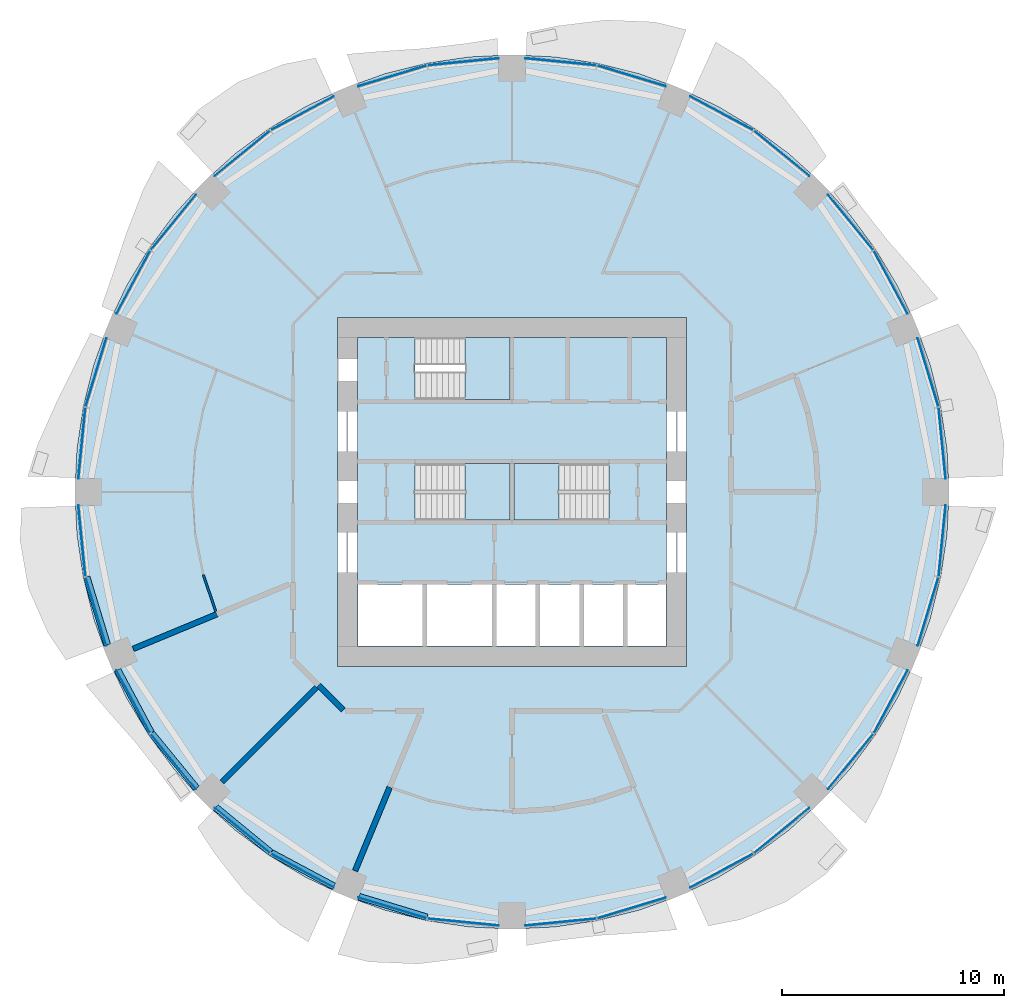
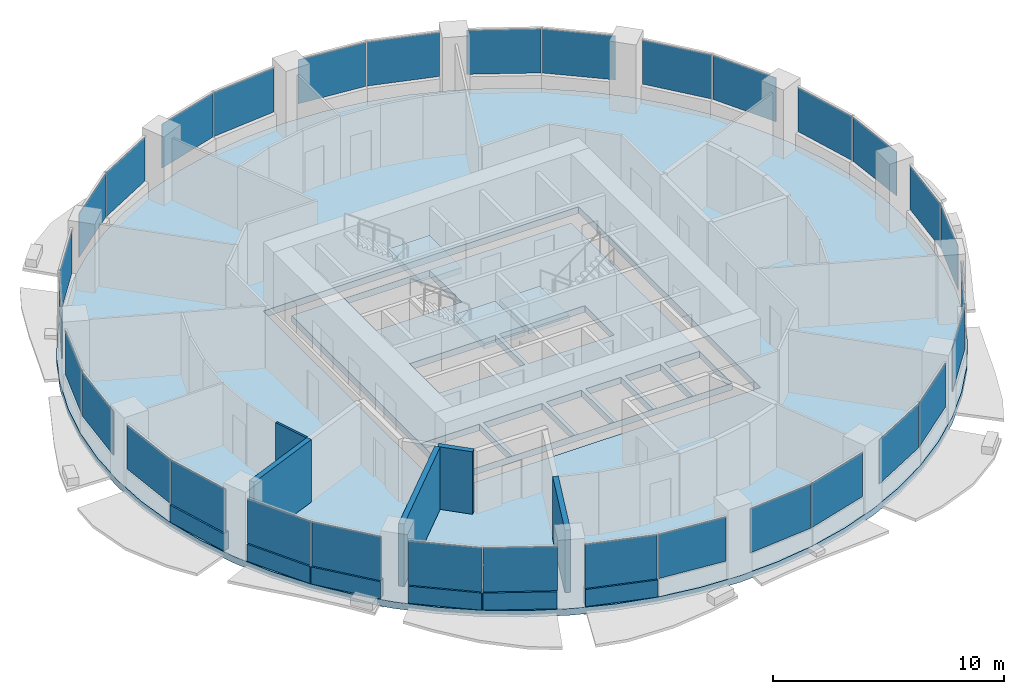
# One storey, part 7 of 15: 32 plates, 11 walls, 5 slabs, 19 elements without a shape of their own.
"""IFC4 building model written with IfcOpenShell, lengths in metres."""

from ifc_helpers import new_model, si_unit, direction, frame, frame_2d, origin, origin_2d, place, context, subcontext, project, spatial, polyline, rectangle, outline, extrude, material, layer, layer_set, type_object, element, aggregate, save


model = new_model("IFC4")

# Units and contexts
model_context = context("Model", 3, precision=1e-05, world=origin(), true_north=direction((0.0, 1.0)))
body_context = subcontext(model_context, "Body", "Model", "MODEL_VIEW")
ifc_project = project(units=[si_unit("LENGTHUNIT", "METRE"), si_unit("AREAUNIT", "SQUARE_METRE"), si_unit("VOLUMEUNIT", "CUBIC_METRE"), si_unit("PLANEANGLEUNIT", "RADIAN"), si_unit("MASSUNIT", "GRAM", prefix="KILO")], contexts=[model_context])

# Site, building, storey
site_placement = place(None, origin())
site = spatial("IfcSite", under=ifc_project, at=site_placement, CompositionType="ELEMENT")
building_placement = place(site_placement, origin())
building = spatial("IfcBuilding", under=site, at=building_placement, Name="Polderwave Tower", CompositionType="ELEMENT")
storey_placement = place(building_placement, frame((0.0, 0.0, 37.14990234375)))
storey = spatial("IfcBuildingStorey", under=building, at=storey_placement, Name="L09", CompositionType="ELEMENT", Elevation=37.14990234375)

# Slab
ifc_material_1 = material(Name="Concrete C40/50", Category="concrete")
ifc_layer_1 = layer(ifc_material_1, 0.35009765625)
ifc_layer_set_1 = layer_set([ifc_layer_1], Name="Core floor slab 350")
slab_type_1 = type_object("IfcSlabType", Name="Core floor slab 350", PredefinedType="FLOOR", material=ifc_layer_set_1)
slab_1_placement = place(storey_placement, frame((0.0, 0.0, -0.349853515625)))
element("IfcSlab", 1, at=slab_1_placement, inside=storey, type_object=slab_type_1, Name="L09 core floor", PredefinedType="FLOOR", context=body_context, shape_type="SweptSolid", body=[
    extrude(outline(polyline([(-6.97412109375, -6.97412109375), (6.97412109375, -6.97412109375), (6.97412109375, 6.97412109375), (-6.97412109375, 6.97412109375), (-6.97412109375, -6.97412109375)]), holes=[polyline([(-6.9541015625, -6.9541015625), (-4.037109375, -6.9541015625), (-4.037109375, -4.174072265625), (-6.9541015625, -4.174072265625), (-6.9541015625, -6.9541015625)]), polyline([(-3.8369140625, -6.9541015625), (-0.89990234375, -6.9541015625), (-0.89990234375, -4.174072265625), (-3.8369140625, -4.174072265625), (-3.8369140625, -6.9541015625)]), polyline([(-0.699951171875, -6.9541015625), (1.068603515625, -6.9541015625), (1.068603515625, -4.174072265625), (-0.699951171875, -4.174072265625), (-0.699951171875, -6.9541015625)]), polyline([(1.2685546875, -6.9541015625), (3.037109375, -6.9541015625), (3.037109375, -4.174072265625), (1.2685546875, -4.174072265625), (1.2685546875, -6.9541015625)]), polyline([(3.237060546875, -6.9541015625), (5.005615234375, -6.9541015625), (5.005615234375, -4.174072265625), (3.237060546875, -4.174072265625), (3.237060546875, -6.9541015625)]), polyline([(5.20556640625, -6.9541015625), (6.9541015625, -6.9541015625), (6.9541015625, -4.174072265625), (5.20556640625, -4.174072265625), (5.20556640625, -6.9541015625)]), polyline([(-4.37353515625, -1.2744140625), (-0.1005859375, -1.2744140625), (-0.1005859375, 1.2744140625), (-4.37353515625, 1.2744140625), (-4.37353515625, -1.2744140625)]), polyline([(0.1005859375, -1.2744140625), (4.37353515625, -1.2744140625), (4.37353515625, 1.2744140625), (0.1005859375, 1.2744140625), (0.1005859375, -1.2744140625)]), polyline([(-4.37353515625, 4.174560546875), (-0.1005859375, 4.174560546875), (-0.1005859375, 6.9541015625), (-4.37353515625, 6.9541015625), (-4.37353515625, 4.174560546875)])]), origin(), (0.0, 0.0, 1.0), 0.349853515625),
])

# Curtain wall, plates
ifc_material_2 = material(Name="Aluminium 6063-T6 and glass", Category="aluminium")
curtain_wall_type = type_object("IfcCurtainWallType", Name="Growing floor ribbon glazing wall", PredefinedType="NOTDEFINED", material=ifc_material_2)
curtain_wall_1_placement = place(storey_placement, origin())
curtain_wall_1 = element("IfcCurtainWall", 2, at=curtain_wall_1_placement, inside=storey, type_object=curtain_wall_type, Name="CW2 L09 00", PredefinedType="NOTDEFINED")
ifc_material_3 = material(Name="Glass, low-e laminated double glazing", Category="glass")
ifc_layer_2 = layer(ifc_material_3, 0.028076171875)
ifc_layer_set_2 = layer_set([ifc_layer_2], Name="Growing floor ribbon glazing glass panel 28 mm")
plate_type = type_object("IfcPlateType", Name="Growing floor ribbon glazing glass panel 28 mm", PredefinedType="CURTAIN_PANEL", material=ifc_layer_set_2)
plate_1_placement = place(storey_placement, frame((19.3935546875, 2.197998046875, 0.89990234375), z_axis=(0.0, 0.0, 1.0), x_axis=(-0.098098775475, 0.995176682931, 0.0)))
plate_1 = element("IfcPlate", 3, at=plate_1_placement, type_object=plate_type, Name="CW2 panel 1", PredefinedType="CURTAIN_PANEL", context=body_context, shape_type="SweptSolid", body=[
    extrude(rectangle(XDim=3.211669921875, YDim=0.028076171875, at=origin_2d()), origin(), (0.0, 0.0, 1.0), 2.320068359375),
])
plate_2_placement = place(storey_placement, frame((18.758056640625, 5.390869140625, 0.89990234375), z_axis=(0.0, 0.0, 1.0), x_axis=(-0.290374865467, 0.956912972796, 0.0)))
plate_2 = element("IfcPlate", 4, at=plate_2_placement, type_object=plate_type, Name="CW2 panel 2", PredefinedType="CURTAIN_PANEL", context=body_context, shape_type="SweptSolid", body=[
    extrude(rectangle(XDim=3.210693359375, YDim=0.028076171875, at=origin_2d()), origin(), (0.0, 0.0, 1.0), 2.320068359375),
])
aggregate(curtain_wall_1, [plate_1, plate_2])

curtain_wall_2_placement = place(storey_placement, origin())
curtain_wall_2 = element("IfcCurtainWall", 5, at=curtain_wall_2_placement, inside=storey, type_object=curtain_wall_type, Name="CW2 L09 01", PredefinedType="NOTDEFINED")
plate_3_placement = place(storey_placement, frame((17.076171875, 9.452392578125, 0.89990234375), z_axis=(0.0, 0.0, 1.0), x_axis=(-0.471356716023, 0.881942654746, 0.0)))
plate_3 = element("IfcPlate", 6, at=plate_3_placement, type_object=plate_type, Name="CW2 panel 1", PredefinedType="CURTAIN_PANEL", context=body_context, shape_type="SweptSolid", body=[
    extrude(rectangle(XDim=3.211669921875, YDim=0.028076171875, at=origin_2d()), origin(), (0.0, 0.0, 1.0), 2.320068359375),
])
plate_4_placement = place(storey_placement, frame((15.267578125, 12.1591796875, 0.89990234375), z_axis=(0.0, 0.0, 1.0), x_axis=(-0.634429710719, 0.772980557425, 0.0)))
plate_4 = element("IfcPlate", 7, at=plate_4_placement, type_object=plate_type, Name="CW2 panel 2", PredefinedType="CURTAIN_PANEL", context=body_context, shape_type="SweptSolid", body=[
    extrude(rectangle(XDim=3.210693359375, YDim=0.028076171875, at=origin_2d()), origin(), (0.0, 0.0, 1.0), 2.320068359375),
])
aggregate(curtain_wall_2, [plate_3, plate_4])

curtain_wall_3_placement = place(storey_placement, origin())
curtain_wall_3 = element("IfcCurtainWall", 8, at=curtain_wall_3_placement, inside=storey, type_object=curtain_wall_type, Name="CW2 L09 02", PredefinedType="NOTDEFINED")
plate_5_placement = place(storey_placement, frame((12.1591796875, 15.267578125, 0.89990234375), z_axis=(0.0, 0.0, 1.0), x_axis=(-0.772980557425, 0.634429710719, 0.0)))
plate_5 = element("IfcPlate", 9, at=plate_5_placement, type_object=plate_type, Name="CW2 panel 1", PredefinedType="CURTAIN_PANEL", context=body_context, shape_type="SweptSolid", body=[
    extrude(rectangle(XDim=3.210693359375, YDim=0.028076171875, at=origin_2d()), origin(), (0.0, 0.0, 1.0), 2.320068359375),
])
plate_6_placement = place(storey_placement, frame((9.452392578125, 17.076171875, 0.89990234375), z_axis=(0.0, 0.0, 1.0), x_axis=(-0.881942654746, 0.471356716023, 0.0)))
plate_6 = element("IfcPlate", 10, at=plate_6_placement, type_object=plate_type, Name="CW2 panel 2", PredefinedType="CURTAIN_PANEL", context=body_context, shape_type="SweptSolid", body=[
    extrude(rectangle(XDim=3.211669921875, YDim=0.028076171875, at=origin_2d()), origin(), (0.0, 0.0, 1.0), 2.320068359375),
])
aggregate(curtain_wall_3, [plate_5, plate_6])

curtain_wall_4_placement = place(storey_placement, origin())
curtain_wall_4 = element("IfcCurtainWall", 11, at=curtain_wall_4_placement, inside=storey, type_object=curtain_wall_type, Name="CW2 L09 03", PredefinedType="NOTDEFINED")
plate_7_placement = place(storey_placement, frame((5.390869140625, 18.758056640625, 0.89990234375), z_axis=(0.0, 0.0, 1.0), x_axis=(-0.956912972796, 0.290374865467, 0.0)))
plate_7 = element("IfcPlate", 12, at=plate_7_placement, type_object=plate_type, Name="CW2 panel 1", PredefinedType="CURTAIN_PANEL", context=body_context, shape_type="SweptSolid", body=[
    extrude(rectangle(XDim=3.210693359375, YDim=0.028076171875, at=origin_2d()), origin(), (0.0, 0.0, 1.0), 2.320068359375),
])
plate_8_placement = place(storey_placement, frame((2.197998046875, 19.3935546875, 0.89990234375), z_axis=(0.0, 0.0, 1.0), x_axis=(-0.995176682931, 0.098098775475, 0.0)))
plate_8 = element("IfcPlate", 13, at=plate_8_placement, type_object=plate_type, Name="CW2 panel 2", PredefinedType="CURTAIN_PANEL", context=body_context, shape_type="SweptSolid", body=[
    extrude(rectangle(XDim=3.211669921875, YDim=0.028076171875, at=origin_2d()), origin(), (0.0, 0.0, 1.0), 2.320068359375),
])
aggregate(curtain_wall_4, [plate_7, plate_8])

curtain_wall_5_placement = place(storey_placement, origin())
curtain_wall_5 = element("IfcCurtainWall", 14, at=curtain_wall_5_placement, inside=storey, type_object=curtain_wall_type, Name="CW2 L09 04", PredefinedType="NOTDEFINED")
plate_9_placement = place(storey_placement, frame((-2.197998046875, 19.3935546875, 0.89990234375), z_axis=(0.0, 0.0, 1.0), x_axis=(-0.995176682931, -0.098098775475, 0.0)))
plate_9 = element("IfcPlate", 15, at=plate_9_placement, type_object=plate_type, Name="CW2 panel 1", PredefinedType="CURTAIN_PANEL", context=body_context, shape_type="SweptSolid", body=[
    extrude(rectangle(XDim=3.211669921875, YDim=0.028076171875, at=origin_2d()), origin(), (0.0, 0.0, 1.0), 2.320068359375),
])
plate_10_placement = place(storey_placement, frame((-5.390869140625, 18.758056640625, 0.89990234375), z_axis=(0.0, 0.0, 1.0), x_axis=(-0.956912972796, -0.290374865467, 0.0)))
plate_10 = element("IfcPlate", 16, at=plate_10_placement, type_object=plate_type, Name="CW2 panel 2", PredefinedType="CURTAIN_PANEL", context=body_context, shape_type="SweptSolid", body=[
    extrude(rectangle(XDim=3.210693359375, YDim=0.028076171875, at=origin_2d()), origin(), (0.0, 0.0, 1.0), 2.320068359375),
])
aggregate(curtain_wall_5, [plate_9, plate_10])

curtain_wall_6_placement = place(storey_placement, origin())
curtain_wall_6 = element("IfcCurtainWall", 17, at=curtain_wall_6_placement, inside=storey, type_object=curtain_wall_type, Name="CW2 L09 05", PredefinedType="NOTDEFINED")
plate_11_placement = place(storey_placement, frame((-9.452392578125, 17.076171875, 0.89990234375), z_axis=(0.0, 0.0, 1.0), x_axis=(-0.881942654746, -0.471356716023, 0.0)))
plate_11 = element("IfcPlate", 18, at=plate_11_placement, type_object=plate_type, Name="CW2 panel 1", PredefinedType="CURTAIN_PANEL", context=body_context, shape_type="SweptSolid", body=[
    extrude(rectangle(XDim=3.211669921875, YDim=0.028076171875, at=origin_2d()), origin(), (0.0, 0.0, 1.0), 2.320068359375),
])
plate_12_placement = place(storey_placement, frame((-12.1591796875, 15.267578125, 0.89990234375), z_axis=(0.0, 0.0, 1.0), x_axis=(-0.772980557425, -0.634429710719, 0.0)))
plate_12 = element("IfcPlate", 19, at=plate_12_placement, type_object=plate_type, Name="CW2 panel 2", PredefinedType="CURTAIN_PANEL", context=body_context, shape_type="SweptSolid", body=[
    extrude(rectangle(XDim=3.210693359375, YDim=0.028076171875, at=origin_2d()), origin(), (0.0, 0.0, 1.0), 2.320068359375),
])
aggregate(curtain_wall_6, [plate_11, plate_12])

curtain_wall_7_placement = place(storey_placement, origin())
curtain_wall_7 = element("IfcCurtainWall", 20, at=curtain_wall_7_placement, inside=storey, type_object=curtain_wall_type, Name="CW2 L09 06", PredefinedType="NOTDEFINED")
plate_13_placement = place(storey_placement, frame((-15.267578125, 12.1591796875, 0.89990234375), z_axis=(0.0, 0.0, 1.0), x_axis=(-0.634429710719, -0.772980557425, 0.0)))
plate_13 = element("IfcPlate", 21, at=plate_13_placement, type_object=plate_type, Name="CW2 panel 1", PredefinedType="CURTAIN_PANEL", context=body_context, shape_type="SweptSolid", body=[
    extrude(rectangle(XDim=3.210693359375, YDim=0.028076171875, at=origin_2d()), origin(), (0.0, 0.0, 1.0), 2.320068359375),
])
plate_14_placement = place(storey_placement, frame((-17.076171875, 9.452392578125, 0.89990234375), z_axis=(0.0, 0.0, 1.0), x_axis=(-0.471356716023, -0.881942654746, 0.0)))
plate_14 = element("IfcPlate", 22, at=plate_14_placement, type_object=plate_type, Name="CW2 panel 2", PredefinedType="CURTAIN_PANEL", context=body_context, shape_type="SweptSolid", body=[
    extrude(rectangle(XDim=3.211669921875, YDim=0.028076171875, at=origin_2d()), origin(), (0.0, 0.0, 1.0), 2.320068359375),
])
aggregate(curtain_wall_7, [plate_13, plate_14])

curtain_wall_8_placement = place(storey_placement, origin())
curtain_wall_8 = element("IfcCurtainWall", 23, at=curtain_wall_8_placement, inside=storey, type_object=curtain_wall_type, Name="CW2 L09 07", PredefinedType="NOTDEFINED")
plate_15_placement = place(storey_placement, frame((-18.758056640625, 5.390869140625, 0.89990234375), z_axis=(0.0, 0.0, 1.0), x_axis=(-0.290374865467, -0.956912972796, 0.0)))
plate_15 = element("IfcPlate", 24, at=plate_15_placement, type_object=plate_type, Name="CW2 panel 1", PredefinedType="CURTAIN_PANEL", context=body_context, shape_type="SweptSolid", body=[
    extrude(rectangle(XDim=3.210693359375, YDim=0.028076171875, at=origin_2d()), origin(), (0.0, 0.0, 1.0), 2.320068359375),
])
plate_16_placement = place(storey_placement, frame((-19.3935546875, 2.197998046875, 0.89990234375), z_axis=(0.0, 0.0, 1.0), x_axis=(-0.098098775475, -0.995176682931, 0.0)))
plate_16 = element("IfcPlate", 25, at=plate_16_placement, type_object=plate_type, Name="CW2 panel 2", PredefinedType="CURTAIN_PANEL", context=body_context, shape_type="SweptSolid", body=[
    extrude(rectangle(XDim=3.211669921875, YDim=0.028076171875, at=origin_2d()), origin(), (0.0, 0.0, 1.0), 2.320068359375),
])
aggregate(curtain_wall_8, [plate_15, plate_16])

curtain_wall_9_placement = place(storey_placement, origin())
curtain_wall_9 = element("IfcCurtainWall", 26, at=curtain_wall_9_placement, inside=storey, type_object=curtain_wall_type, Name="CW2 L09 08", PredefinedType="NOTDEFINED")
plate_17_placement = place(storey_placement, frame((-19.3935546875, -2.197998046875, 0.89990234375), z_axis=(0.0, 0.0, 1.0), x_axis=(0.098098775475, -0.995176682931, 0.0)))
plate_17 = element("IfcPlate", 27, at=plate_17_placement, type_object=plate_type, Name="CW2 panel 1", PredefinedType="CURTAIN_PANEL", context=body_context, shape_type="SweptSolid", body=[
    extrude(rectangle(XDim=3.211669921875, YDim=0.028076171875, at=origin_2d()), origin(), (0.0, 0.0, 1.0), 2.320068359375),
])
plate_18_placement = place(storey_placement, frame((-18.758056640625, -5.390869140625, 0.89990234375), z_axis=(0.0, 0.0, 1.0), x_axis=(0.290374865467, -0.956912972796, 0.0)))
plate_18 = element("IfcPlate", 28, at=plate_18_placement, type_object=plate_type, Name="CW2 panel 2", PredefinedType="CURTAIN_PANEL", context=body_context, shape_type="SweptSolid", body=[
    extrude(rectangle(XDim=3.210693359375, YDim=0.028076171875, at=origin_2d()), origin(), (0.0, 0.0, 1.0), 2.320068359375),
])
aggregate(curtain_wall_9, [plate_17, plate_18])

curtain_wall_10_placement = place(storey_placement, origin())
curtain_wall_10 = element("IfcCurtainWall", 29, at=curtain_wall_10_placement, inside=storey, type_object=curtain_wall_type, Name="CW2 L09 09", PredefinedType="NOTDEFINED")
plate_19_placement = place(storey_placement, frame((-17.076171875, -9.452392578125, 0.89990234375), z_axis=(0.0, 0.0, 1.0), x_axis=(0.471356716023, -0.881942654746, 0.0)))
plate_19 = element("IfcPlate", 30, at=plate_19_placement, type_object=plate_type, Name="CW2 panel 1", PredefinedType="CURTAIN_PANEL", context=body_context, shape_type="SweptSolid", body=[
    extrude(rectangle(XDim=3.211669921875, YDim=0.028076171875, at=origin_2d()), origin(), (0.0, 0.0, 1.0), 2.320068359375),
])
plate_20_placement = place(storey_placement, frame((-15.267578125, -12.1591796875, 0.89990234375), z_axis=(0.0, 0.0, 1.0), x_axis=(0.634429710719, -0.772980557425, 0.0)))
plate_20 = element("IfcPlate", 31, at=plate_20_placement, type_object=plate_type, Name="CW2 panel 2", PredefinedType="CURTAIN_PANEL", context=body_context, shape_type="SweptSolid", body=[
    extrude(rectangle(XDim=3.210693359375, YDim=0.028076171875, at=origin_2d()), origin(), (0.0, 0.0, 1.0), 2.320068359375),
])
aggregate(curtain_wall_10, [plate_19, plate_20])

curtain_wall_11_placement = place(storey_placement, origin())
curtain_wall_11 = element("IfcCurtainWall", 32, at=curtain_wall_11_placement, inside=storey, type_object=curtain_wall_type, Name="CW2 L09 10", PredefinedType="NOTDEFINED")
plate_21_placement = place(storey_placement, frame((-12.1591796875, -15.267578125, 0.89990234375), z_axis=(0.0, 0.0, 1.0), x_axis=(0.772980557425, -0.634429710719, 0.0)))
plate_21 = element("IfcPlate", 33, at=plate_21_placement, type_object=plate_type, Name="CW2 panel 1", PredefinedType="CURTAIN_PANEL", context=body_context, shape_type="SweptSolid", body=[
    extrude(rectangle(XDim=3.210693359375, YDim=0.028076171875, at=origin_2d()), origin(), (0.0, 0.0, 1.0), 2.320068359375),
])
plate_22_placement = place(storey_placement, frame((-9.452392578125, -17.076171875, 0.89990234375), z_axis=(0.0, 0.0, 1.0), x_axis=(0.881942654746, -0.471356716023, 0.0)))
plate_22 = element("IfcPlate", 34, at=plate_22_placement, type_object=plate_type, Name="CW2 panel 2", PredefinedType="CURTAIN_PANEL", context=body_context, shape_type="SweptSolid", body=[
    extrude(rectangle(XDim=3.211669921875, YDim=0.028076171875, at=origin_2d()), origin(), (0.0, 0.0, 1.0), 2.320068359375),
])
aggregate(curtain_wall_11, [plate_21, plate_22])

curtain_wall_12_placement = place(storey_placement, origin())
curtain_wall_12 = element("IfcCurtainWall", 35, at=curtain_wall_12_placement, inside=storey, type_object=curtain_wall_type, Name="CW2 L09 11", PredefinedType="NOTDEFINED")
plate_23_placement = place(storey_placement, frame((-5.390869140625, -18.758056640625, 0.89990234375), z_axis=(0.0, 0.0, 1.0), x_axis=(0.956912972796, -0.290374865467, 0.0)))
plate_23 = element("IfcPlate", 36, at=plate_23_placement, type_object=plate_type, Name="CW2 panel 1", PredefinedType="CURTAIN_PANEL", context=body_context, shape_type="SweptSolid", body=[
    extrude(rectangle(XDim=3.210693359375, YDim=0.028076171875, at=origin_2d()), origin(), (0.0, 0.0, 1.0), 2.320068359375),
])
plate_24_placement = place(storey_placement, frame((-2.197998046875, -19.3935546875, 0.89990234375), z_axis=(0.0, 0.0, 1.0), x_axis=(0.995176682931, -0.098098775475, 0.0)))
plate_24 = element("IfcPlate", 37, at=plate_24_placement, type_object=plate_type, Name="CW2 panel 2", PredefinedType="CURTAIN_PANEL", context=body_context, shape_type="SweptSolid", body=[
    extrude(rectangle(XDim=3.211669921875, YDim=0.028076171875, at=origin_2d()), origin(), (0.0, 0.0, 1.0), 2.320068359375),
])
aggregate(curtain_wall_12, [plate_23, plate_24])

curtain_wall_13_placement = place(storey_placement, origin())
curtain_wall_13 = element("IfcCurtainWall", 38, at=curtain_wall_13_placement, inside=storey, type_object=curtain_wall_type, Name="CW2 L09 12", PredefinedType="NOTDEFINED")
plate_25_placement = place(storey_placement, frame((2.197998046875, -19.3935546875, 0.89990234375), z_axis=(0.0, 0.0, 1.0), x_axis=(0.995176682931, 0.098098775475, 0.0)))
plate_25 = element("IfcPlate", 39, at=plate_25_placement, type_object=plate_type, Name="CW2 panel 1", PredefinedType="CURTAIN_PANEL", context=body_context, shape_type="SweptSolid", body=[
    extrude(rectangle(XDim=3.211669921875, YDim=0.028076171875, at=origin_2d()), origin(), (0.0, 0.0, 1.0), 2.320068359375),
])
plate_26_placement = place(storey_placement, frame((5.390869140625, -18.758056640625, 0.89990234375), z_axis=(0.0, 0.0, 1.0), x_axis=(0.956912972796, 0.290374865467, 0.0)))
plate_26 = element("IfcPlate", 40, at=plate_26_placement, type_object=plate_type, Name="CW2 panel 2", PredefinedType="CURTAIN_PANEL", context=body_context, shape_type="SweptSolid", body=[
    extrude(rectangle(XDim=3.210693359375, YDim=0.028076171875, at=origin_2d()), origin(), (0.0, 0.0, 1.0), 2.320068359375),
])
aggregate(curtain_wall_13, [plate_25, plate_26])

curtain_wall_14_placement = place(storey_placement, origin())
curtain_wall_14 = element("IfcCurtainWall", 41, at=curtain_wall_14_placement, inside=storey, type_object=curtain_wall_type, Name="CW2 L09 13", PredefinedType="NOTDEFINED")
plate_27_placement = place(storey_placement, frame((9.452392578125, -17.076171875, 0.89990234375), z_axis=(0.0, 0.0, 1.0), x_axis=(0.881942654746, 0.471356716023, 0.0)))
plate_27 = element("IfcPlate", 42, at=plate_27_placement, type_object=plate_type, Name="CW2 panel 1", PredefinedType="CURTAIN_PANEL", context=body_context, shape_type="SweptSolid", body=[
    extrude(rectangle(XDim=3.211669921875, YDim=0.028076171875, at=origin_2d()), origin(), (0.0, 0.0, 1.0), 2.320068359375),
])
plate_28_placement = place(storey_placement, frame((12.1591796875, -15.267578125, 0.89990234375), z_axis=(0.0, 0.0, 1.0), x_axis=(0.772980557425, 0.634429710719, 0.0)))
plate_28 = element("IfcPlate", 43, at=plate_28_placement, type_object=plate_type, Name="CW2 panel 2", PredefinedType="CURTAIN_PANEL", context=body_context, shape_type="SweptSolid", body=[
    extrude(rectangle(XDim=3.210693359375, YDim=0.028076171875, at=origin_2d()), origin(), (0.0, 0.0, 1.0), 2.320068359375),
])
aggregate(curtain_wall_14, [plate_27, plate_28])

curtain_wall_15_placement = place(storey_placement, origin())
curtain_wall_15 = element("IfcCurtainWall", 44, at=curtain_wall_15_placement, inside=storey, type_object=curtain_wall_type, Name="CW2 L09 14", PredefinedType="NOTDEFINED")
plate_29_placement = place(storey_placement, frame((15.267578125, -12.1591796875, 0.89990234375), z_axis=(0.0, 0.0, 1.0), x_axis=(0.634429710719, 0.772980557425, 0.0)))
plate_29 = element("IfcPlate", 45, at=plate_29_placement, type_object=plate_type, Name="CW2 panel 1", PredefinedType="CURTAIN_PANEL", context=body_context, shape_type="SweptSolid", body=[
    extrude(rectangle(XDim=3.210693359375, YDim=0.028076171875, at=origin_2d()), origin(), (0.0, 0.0, 1.0), 2.320068359375),
])
plate_30_placement = place(storey_placement, frame((17.076171875, -9.452392578125, 0.89990234375), z_axis=(0.0, 0.0, 1.0), x_axis=(0.471356716023, 0.881942654746, 0.0)))
plate_30 = element("IfcPlate", 46, at=plate_30_placement, type_object=plate_type, Name="CW2 panel 2", PredefinedType="CURTAIN_PANEL", context=body_context, shape_type="SweptSolid", body=[
    extrude(rectangle(XDim=3.211669921875, YDim=0.028076171875, at=origin_2d()), origin(), (0.0, 0.0, 1.0), 2.320068359375),
])
aggregate(curtain_wall_15, [plate_29, plate_30])

curtain_wall_16_placement = place(storey_placement, origin())
curtain_wall_16 = element("IfcCurtainWall", 47, at=curtain_wall_16_placement, inside=storey, type_object=curtain_wall_type, Name="CW2 L09 15", PredefinedType="NOTDEFINED")
plate_31_placement = place(storey_placement, frame((18.758056640625, -5.390869140625, 0.89990234375), z_axis=(0.0, 0.0, 1.0), x_axis=(0.290374865467, 0.956912972796, 0.0)))
plate_31 = element("IfcPlate", 48, at=plate_31_placement, type_object=plate_type, Name="CW2 panel 1", PredefinedType="CURTAIN_PANEL", context=body_context, shape_type="SweptSolid", body=[
    extrude(rectangle(XDim=3.210693359375, YDim=0.028076171875, at=origin_2d()), origin(), (0.0, 0.0, 1.0), 2.320068359375),
])
plate_32_placement = place(storey_placement, frame((19.3935546875, -2.197998046875, 0.89990234375), z_axis=(0.0, 0.0, 1.0), x_axis=(0.098098775475, 0.995176682931, 0.0)))
plate_32 = element("IfcPlate", 49, at=plate_32_placement, type_object=plate_type, Name="CW2 panel 2", PredefinedType="CURTAIN_PANEL", context=body_context, shape_type="SweptSolid", body=[
    extrude(rectangle(XDim=3.211669921875, YDim=0.028076171875, at=origin_2d()), origin(), (0.0, 0.0, 1.0), 2.320068359375),
])
aggregate(curtain_wall_16, [plate_31, plate_32])

# Slab
ifc_layer_3 = layer(ifc_material_1, 0.35009765625)
ifc_layer_set_3 = layer_set([ifc_layer_3], Name="PT FLOOR SLAB 350 C40/50")
slab_type_2 = type_object("IfcSlabType", Name="PT FLOOR SLAB 350 C40/50", PredefinedType="FLOOR", material=ifc_layer_set_3)
slab_2_placement = place(storey_placement, frame((0.0, 0.0, -0.349853515625)))
element("IfcSlab", 50, at=slab_2_placement, inside=storey, type_object=slab_type_2, Name="ST-SLAB-L09", PredefinedType="FLOOR", context=body_context, shape_type="SweptSolid", body=[
    extrude(outline(polyline([(19.7099609375, 0.0), (19.614990234375, 1.931884765625), (19.331298828125, 3.84521484375), (18.861328125, 5.721435546875), (18.209716796875, 7.542724609375), (17.3828125, 9.291259765625), (16.38818359375, 10.9501953125), (15.236083984375, 12.50390625), (13.93701171875, 13.93701171875), (12.50390625, 15.236083984375), (10.9501953125, 16.38818359375), (9.291259765625, 17.3828125), (7.542724609375, 18.209716796875), (5.721435546875, 18.861328125), (3.84521484375, 19.331298828125), (1.931884765625, 19.614990234375), (0.0, 19.7099609375), (-1.931884765625, 19.614990234375), (-3.84521484375, 19.331298828125), (-5.721435546875, 18.861328125), (-7.542724609375, 18.209716796875), (-9.291259765625, 17.3828125), (-10.9501953125, 16.38818359375), (-12.50390625, 15.236083984375), (-13.93701171875, 13.93701171875), (-15.236083984375, 12.50390625), (-16.38818359375, 10.9501953125), (-17.3828125, 9.291259765625), (-18.209716796875, 7.542724609375), (-18.861328125, 5.721435546875), (-19.331298828125, 3.84521484375), (-19.614990234375, 1.931884765625), (-19.7099609375, 0.0), (-19.614990234375, -1.931884765625), (-19.331298828125, -3.84521484375), (-18.861328125, -5.721435546875), (-18.209716796875, -7.542724609375), (-17.3828125, -9.291259765625), (-16.38818359375, -10.9501953125), (-15.236083984375, -12.50390625), (-13.93701171875, -13.93701171875), (-12.50390625, -15.236083984375), (-10.9501953125, -16.38818359375), (-9.291259765625, -17.3828125), (-7.542724609375, -18.209716796875), (-5.721435546875, -18.861328125), (-3.84521484375, -19.331298828125), (-1.931884765625, -19.614990234375), (0.0, -19.7099609375), (1.931884765625, -19.614990234375), (3.84521484375, -19.331298828125), (5.721435546875, -18.861328125), (7.542724609375, -18.209716796875), (9.291259765625, -17.3828125), (10.9501953125, -16.38818359375), (12.50390625, -15.236083984375), (13.93701171875, -13.93701171875), (15.236083984375, -12.50390625), (16.38818359375, -10.9501953125), (17.3828125, -9.291259765625), (18.209716796875, -7.542724609375), (18.861328125, -5.721435546875), (19.331298828125, -3.84521484375), (19.614990234375, -1.931884765625), (19.7099609375, 0.0)]), holes=[polyline([(-7.8740234375, -7.8740234375), (7.8740234375, -7.8740234375), (7.8740234375, 7.8740234375), (-7.8740234375, 7.8740234375), (-7.8740234375, -7.8740234375)])]), origin(), (0.0, 0.0, 1.0), 0.349853515625),
])

# Stair, slab
stair_type = type_object("IfcStairType", Name="Exit stair 1200 x 20 risers", PredefinedType="HALF_TURN_STAIR", material=ifc_material_1)
stair_1_placement = place(storey_placement, origin())
stair_1 = element("IfcStair", 51, at=stair_1_placement, inside=storey, type_object=stair_type, Name="L09 Exit stair A", PredefinedType="HALF_TURN_STAIR")
ifc_layer_4 = layer(ifc_material_1, 0.300048828125)
ifc_layer_set_4 = layer_set([ifc_layer_4], Name="Stair landing 300")
slab_type_3 = type_object("IfcSlabType", Name="Stair landing 300", PredefinedType="LANDING", material=ifc_layer_set_4)
slab_3_placement = place(storey_placement, frame((0.0, 0.0, 1.525146484375)))
slab_3 = element("IfcSlab", 52, at=slab_3_placement, type_object=slab_type_3, Name="ST-A landing 1", PredefinedType="LANDING", context=body_context, shape_type="SweptSolid", body=[
    extrude(outline(polyline([(-2.1240234375, -1.27490234375), (-0.10009765625, -1.27490234375), (-0.10009765625, 1.27490234375), (-2.1240234375, 1.27490234375), (-2.1240234375, -1.27490234375)])), origin(), (0.0, 0.0, 1.0), 0.300048828125),
])
aggregate(stair_1, [slab_3])

stair_2_placement = place(storey_placement, origin())
stair_2 = element("IfcStair", 53, at=stair_2_placement, inside=storey, type_object=stair_type, Name="L09 Exit stair B", PredefinedType="HALF_TURN_STAIR")
slab_4_placement = place(storey_placement, frame((0.0, 0.0, 1.525146484375)))
slab_4 = element("IfcSlab", 54, at=slab_4_placement, type_object=slab_type_3, Name="ST-B landing 1", PredefinedType="LANDING", context=body_context, shape_type="SweptSolid", body=[
    extrude(outline(polyline([(2.1240234375, 1.27490234375), (0.10009765625, 1.27490234375), (0.10009765625, -1.27490234375), (2.1240234375, -1.27490234375), (2.1240234375, 1.27490234375)])), origin(), (0.0, 0.0, 1.0), 0.300048828125),
])
aggregate(stair_2, [slab_4])

stair_3_placement = place(storey_placement, origin())
stair_3 = element("IfcStair", 55, at=stair_3_placement, inside=storey, type_object=stair_type, Name="L09 Exit stair C", PredefinedType="HALF_TURN_STAIR")
slab_5_placement = place(storey_placement, frame((0.0, 0.0, 1.525146484375)))
slab_5 = element("IfcSlab", 56, at=slab_5_placement, type_object=slab_type_3, Name="ST-C landing 1", PredefinedType="LANDING", context=body_context, shape_type="SweptSolid", body=[
    extrude(outline(polyline([(-2.1240234375, 4.174072265625), (-0.10009765625, 4.174072265625), (-0.10009765625, 6.97412109375), (-2.1240234375, 6.97412109375), (-2.1240234375, 4.174072265625)])), origin(), (0.0, 0.0, 1.0), 0.300048828125),
])
aggregate(stair_3, [slab_5])

# Walls
ifc_material_4 = material(Name="Concrete C50/60 (board-marked)", Category="concrete")
ifc_layer_5 = layer(ifc_material_4, 0.300048828125)
ifc_layer_set_5 = layer_set([ifc_layer_5], Name="Concrete spandrel upstand C50/60")
wall_type_1 = type_object("IfcWallType", Name="Concrete spandrel upstand C50/60", PredefinedType="SOLIDWALL", material=ifc_layer_set_5)
wall_1_placement = place(storey_placement, frame((-19.1796875, -3.830322265625, 0.0), z_axis=(0.0, 0.0, 1.0), x_axis=(0.290472877795, -0.956883225512, 0.0)))
element("IfcWall", 57, at=wall_1_placement, inside=storey, type_object=wall_type_1, Name="Spandrel L09 9b", PredefinedType="SOLIDWALL", context=body_context, shape_type="SweptSolid", body=[
    extrude(rectangle(XDim=3.202392578125, YDim=0.300048828125, at=frame_2d((1.60107421875, 0.0))), origin(), (0.0, 0.0, 1.0), 0.900146484375),
])
wall_2_placement = place(storey_placement, frame((-17.77978515625, -8.0283203125, 0.0), z_axis=(0.0, 0.0, 1.0), x_axis=(0.471284265614, -0.881981372243, 0.0)))
element("IfcWall", 58, at=wall_2_placement, inside=storey, type_object=wall_type_1, Name="Spandrel L09 10a", PredefinedType="SOLIDWALL", context=body_context, shape_type="SweptSolid", body=[
    extrude(rectangle(XDim=3.20361328125, YDim=0.300048828125, at=frame_2d((1.601806640625, 0.0))), origin(), (0.0, 0.0, 1.0), 0.900146484375),
])
for number, where, z_axis, x_axis, name in (
    (59, (-16.25341796875, -10.878662109375, 0.0), (0.0, 0.0, 1.0), (0.634233658611, -0.773141427091, 0.0), "Spandrel L09 10b"),
    (60, (-13.3544921875, -14.222412109375, 0.0), (0.0, 0.0, 1.0), (0.773141427091, -0.634233658611, 0.0), "Spandrel L09 11a"),
):
    element("IfcWall", number, at=place(storey_placement, frame(where, z_axis=z_axis, x_axis=x_axis)), inside=storey, type_object=wall_type_1, Name=name, PredefinedType="SOLIDWALL", context=body_context, shape_type="SweptSolid", body=[
        extrude(rectangle(XDim=3.202392578125, YDim=0.300048828125, at=frame_2d((1.60107421875, 0.0))), origin(), (0.0, 0.0, 1.0), 0.900146484375),
    ])
wall_3_placement = place(storey_placement, frame((-10.853759765625, -16.27001953125, 0.0), z_axis=(0.0, 0.0, 1.0), x_axis=(0.881981372243, -0.471284265614, 0.0)))
element("IfcWall", 61, at=wall_3_placement, inside=storey, type_object=wall_type_1, Name="Spandrel L09 11b", PredefinedType="SOLIDWALL", context=body_context, shape_type="SweptSolid", body=[
    extrude(rectangle(XDim=3.20361328125, YDim=0.300048828125, at=frame_2d((1.601806640625, 0.0))), origin(), (0.0, 0.0, 1.0), 0.900146484375),
])
wall_4_placement = place(storey_placement, frame((-6.89453125, -18.24951171875, 0.0), z_axis=(0.0, 0.0, 1.0), x_axis=(0.956883225512, -0.290472877795, 0.0)))
element("IfcWall", 62, at=wall_4_placement, inside=storey, type_object=wall_type_1, Name="Spandrel L09 12a", PredefinedType="SOLIDWALL", context=body_context, shape_type="SweptSolid", body=[
    extrude(rectangle(XDim=3.202392578125, YDim=0.300048828125, at=frame_2d((1.60107421875, 0.0))), origin(), (0.0, 0.0, 1.0), 0.900146484375),
])
ifc_material_5 = material(Name="Plasterboard on steel studs", Category="steel")
ifc_layer_6 = layer(ifc_material_5, 0.10009765625)
ifc_layer_set_6 = layer_set([ifc_layer_6], Name="Partition 100 mm plasterboard on steel studs")
wall_type_2 = type_object("IfcWallType", Name="Partition 100 mm plasterboard on steel studs", PredefinedType="PARTITIONING", material=ifc_layer_set_6)
wall_5_placement = place(storey_placement, frame((-13.3544921875, -5.392578125, 0.0), z_axis=(0.0, 0.0, 1.0), x_axis=(-0.321445771201, 0.946927988908, 0.0)))
element("IfcWall", 63, at=wall_5_placement, inside=storey, type_object=wall_type_2, Name="IN-L09-W051", PredefinedType="PARTITIONING", context=body_context, shape_type="SweptSolid", body=[
    extrude(rectangle(XDim=1.7529296875, YDim=0.10009765625, at=frame_2d((0.87646484375, 0.0))), origin(), (0.0, 0.0, 1.0), 3.300048828125),
])
ifc_material_6 = material(Name="Fire-resisting board on steel studs, mineral wool", Category="steel")
ifc_layer_7 = layer(ifc_material_6, 0.25)
ifc_layer_set_7 = layer_set([ifc_layer_7], Name="Plant room wall 250 mm EI 120")
wall_type_3 = type_object("IfcWallType", Name="Plant room wall 250 mm EI 120", PredefinedType="PARTITIONING", material=ifc_layer_set_7)
wall_6_placement = place(storey_placement, frame((-7.607666015625, -9.83740234375, 0.0), z_axis=(0.0, 0.0, 1.0), x_axis=(-0.707029353672, 0.707184200224, 0.0)))
element("IfcWall", 64, at=wall_6_placement, inside=storey, type_object=wall_type_3, Name="IN-L09-W016", PredefinedType="PARTITIONING", context=body_context, shape_type="SweptSolid", body=[
    extrude(rectangle(XDim=1.57666015625, YDim=0.25, at=frame_2d((0.788330078125, 0.0))), origin(), (0.0, 0.0, 1.0), 3.300048828125),
])
wall_7_placement = place(storey_placement, frame((-13.31298828125, -5.514404296875, 0.0), z_axis=(0.0, 0.0, 1.0), x_axis=(-0.923873536763, -0.382697907061, 0.0)))
element("IfcWall", 65, at=wall_7_placement, inside=storey, type_object=wall_type_3, Name="IN-L09-W053", PredefinedType="PARTITIONING", context=body_context, shape_type="SweptSolid", body=[
    extrude(rectangle(XDim=4.070068359375, YDim=0.25, at=frame_2d((2.03515625, 0.0))), origin(), (0.0, 0.0, 1.0), 3.300048828125),
])
wall_8_placement = place(storey_placement, frame((-13.0673828125, -13.0673828125, 0.0), z_axis=(0.0, 0.0, 1.0), x_axis=(0.707106781187, 0.707106781187, 0.0)))
element("IfcWall", 66, at=wall_8_placement, inside=storey, type_object=wall_type_3, Name="IN-L09-W054", PredefinedType="PARTITIONING", context=body_context, shape_type="SweptSolid", body=[
    extrude(rectangle(XDim=6.019775390625, YDim=0.25, at=frame_2d((3.009765625, 0.0))), origin(), (0.0, 0.0, 1.0), 3.300048828125),
])
wall_9_placement = place(storey_placement, frame((-5.514404296875, -13.31298828125, 0.0), z_axis=(0.0, 0.0, 1.0), x_axis=(-0.382697907061, -0.923873536763, 0.0)))
element("IfcWall", 67, at=wall_9_placement, inside=storey, type_object=wall_type_3, Name="IN-L09-W056", PredefinedType="PARTITIONING", context=body_context, shape_type="SweptSolid", body=[
    extrude(rectangle(XDim=4.070068359375, YDim=0.25, at=frame_2d((2.03515625, 0.0))), origin(), (0.0, 0.0, 1.0), 3.300048828125),
])

save(model, "model.ifc")
